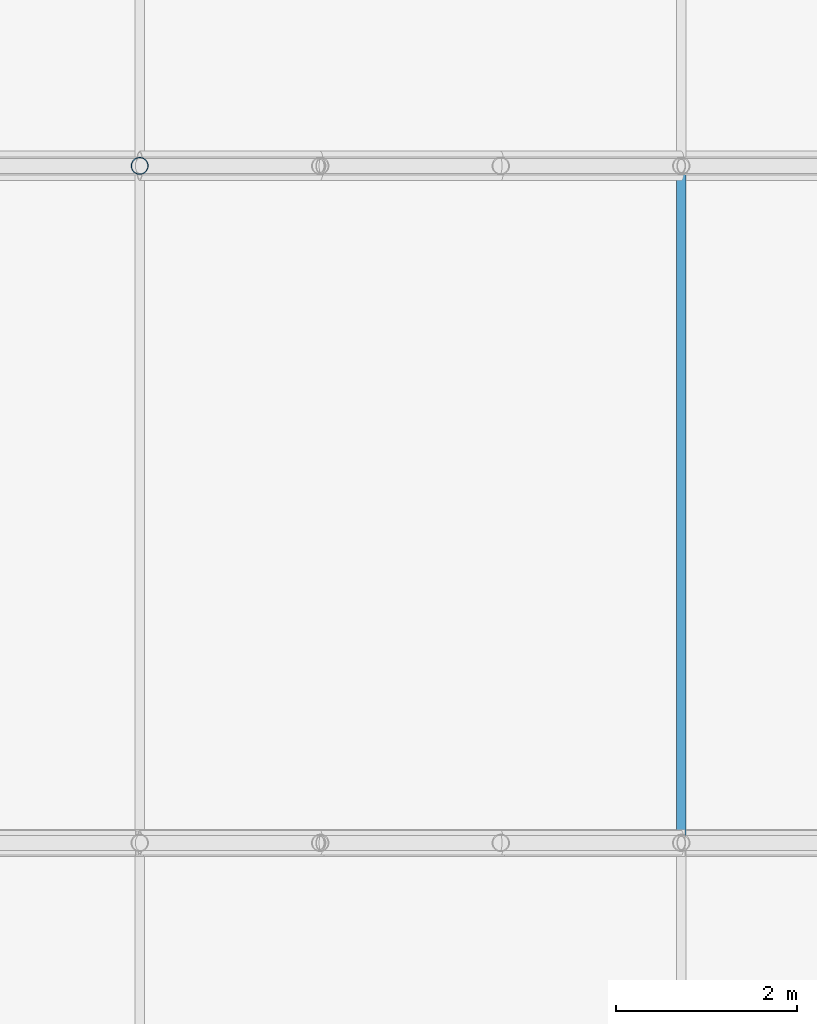
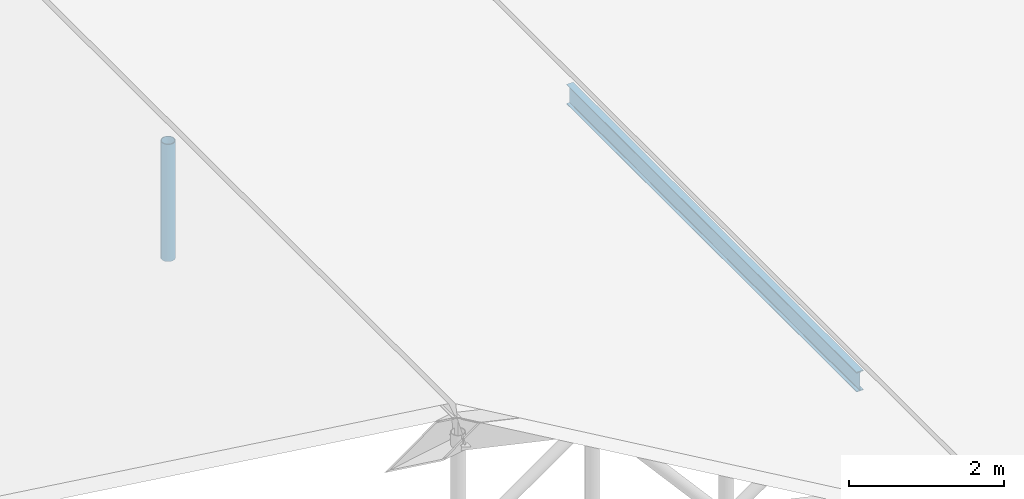
# One storey, part 8 of 28: 2 members.
"""IFC4 building model written with IfcOpenShell, lengths in metres."""

from ifc_helpers import new_model, si_unit, direction, frame, origin, origin_2d, place, context, subcontext, project, spatial, hollow_circle, i_section, extrude, material, material_profile, profile_set, type_object, element, save


model = new_model("IFC4")

# Units and contexts
model_context = context("Model", 3, precision=1e-05, world=origin(), true_north=direction((0.0, 1.0)))
body_context = subcontext(model_context, "Body", "Model", "MODEL_VIEW")
ifc_project = project(units=[si_unit("LENGTHUNIT", "METRE"), si_unit("AREAUNIT", "SQUARE_METRE"), si_unit("VOLUMEUNIT", "CUBIC_METRE"), si_unit("PLANEANGLEUNIT", "RADIAN"), si_unit("MASSUNIT", "GRAM", prefix="KILO"), si_unit("THERMODYNAMICTEMPERATUREUNIT", "KELVIN"), si_unit("POWERUNIT", "WATT")], contexts=[model_context])

# Site, building, storey
site_placement = place(None, origin())
site = spatial("IfcSite", under=ifc_project, at=site_placement, CompositionType="ELEMENT")
building_placement = place(site_placement, origin())
building = spatial("IfcBuilding", under=site, at=building_placement, Name="Tepalcoro Natatorium and Aquatics Centre", CompositionType="ELEMENT")
storey_placement = place(building_placement, frame((0.0, 0.0, 23.199951171875)))
storey = spatial("IfcBuildingStorey", under=building, at=storey_placement, Name="RF", CompositionType="ELEMENT", Elevation=23.199951171875)

# Members
ifc_material_1 = material(Name="Steel ASTM A992 Grade 50 (Fy 345 MPa)", Category="steel")
ifc_material_profile_1 = material_profile(ifc_material_1, i_section(OverallWidth=0.10205078125, OverallDepth=0.31201171875, WebThickness=0.007080078125, FlangeThickness=0.010986328125, FilletRadius=0.013916015625, at=origin_2d()), Name="W12X22")
ifc_profile_set_1 = profile_set([ifc_material_profile_1], Name="Steel ASTM A992 Grade 50 (Fy 345 MPa)")
member_type_1 = type_object("IfcMemberType", Name="MB_PR_W12x22", PredefinedType="PURLIN", material=ifc_profile_set_1)
member_1_placement = place(storey_placement, frame((165.0, 20.5, -1.60888671875), z_axis=(0.0, 1.0, 0.0), x_axis=(-1.0, 0.0, 0.0)))
element("IfcMember", 1, at=member_1_placement, inside=storey, type_object=member_type_1, Name="V2 Barrel-Arch Roof Purlin", PredefinedType="PURLIN", context=body_context, shape_type="SweptSolid", body=[
    extrude(i_section(OverallWidth=0.10205078125, OverallDepth=0.31201171875, WebThickness=0.007080078125, FlangeThickness=0.010986328125, FilletRadius=0.013916015625, at=origin_2d()), origin(), (0.0, 0.0, 1.0), 7.5),
])
ifc_material_2 = material(Name="Terracotta Painted Hollow Steel ASTM A500 Grade C (Fy 345 MPa)", Category="masonry")
ifc_material_profile_2 = material_profile(ifc_material_2, hollow_circle(Radius=0.096923828125, WallThickness=0.010009765625, at=origin_2d()), Name="CHS194X10")
ifc_profile_set_2 = profile_set([ifc_material_profile_2], Name="Terracotta Painted Hollow Steel ASTM A500 Grade C (Fy 345 MPa)")
member_type_2 = type_object("IfcMemberType", Name="MB_PS_CHS194x10", PredefinedType="POST", material=ifc_profile_set_2)
member_2_placement = place(storey_placement, frame((159.0, 28.0, -2.10302734375), z_axis=(0.0, 0.0, 1.0), x_axis=(1.0, 0.0, 0.0)))
element("IfcMember", 2, at=member_2_placement, inside=storey, type_object=member_type_2, Name="V2 Barrel-Arch Post 4", PredefinedType="POST", context=body_context, shape_type="SweptSolid", body=[
    extrude(hollow_circle(Radius=0.096923828125, WallThickness=0.010009765625, at=origin_2d()), origin(), (0.0, 0.0, 1.0), 1.85009765625),
])

save(model, "model.ifc")
